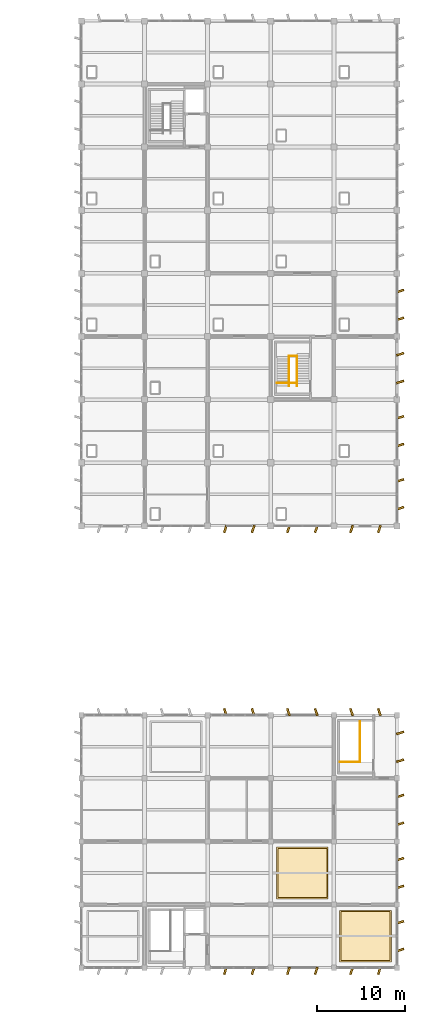
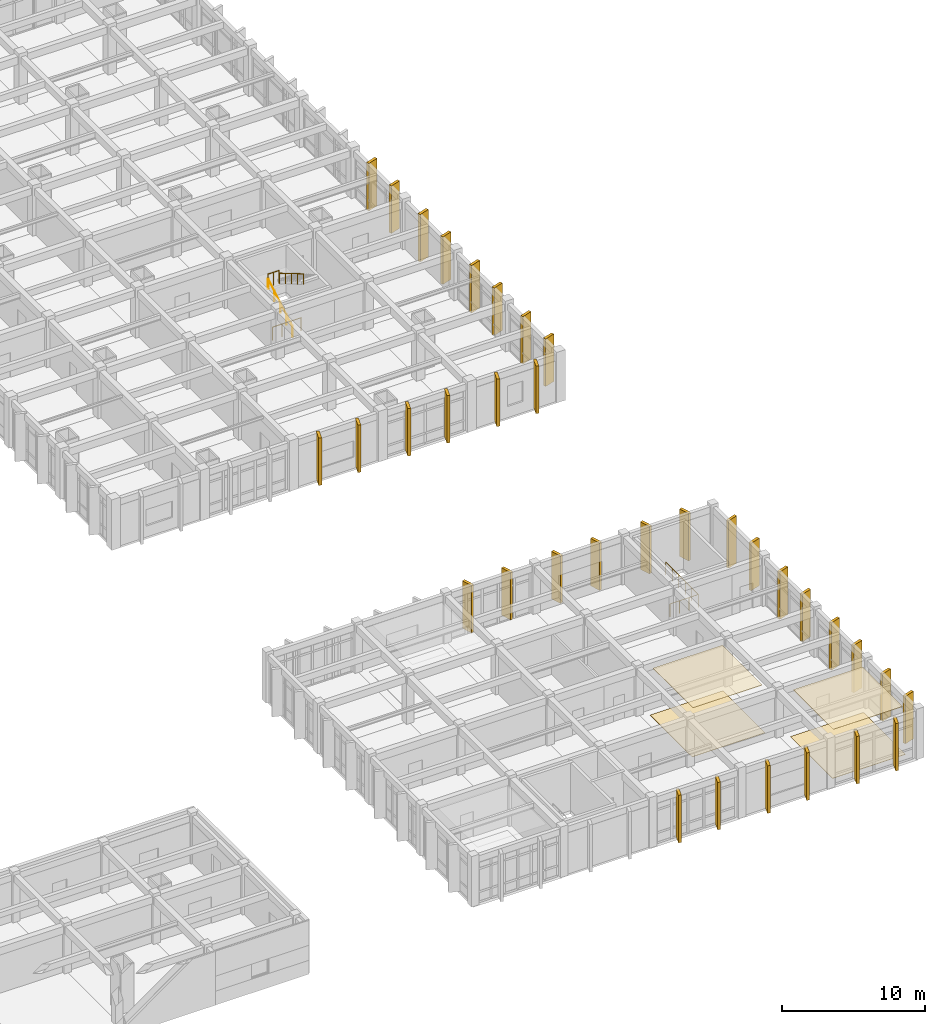
# One storey, part 69 of 70: 38 coverings, 5 railings.
"""IFC4 building model written with IfcOpenShell, lengths in metres."""

from ifc_helpers import new_model, si_unit, direction, frame, origin, origin_2d, place, context, subcontext, project, spatial, polyline, rectangle, circle, outline, extrude, material, layer, layer_set, type_object, element, save


model = new_model("IFC4")

# Units and contexts
model_context = context("Model", 3, precision=1e-05, world=origin(), true_north=direction((0.0, 1.0)))
body_context = subcontext(model_context, "Body", "Model", "MODEL_VIEW")
ifc_project = project(units=[si_unit("LENGTHUNIT", "METRE"), si_unit("AREAUNIT", "SQUARE_METRE"), si_unit("VOLUMEUNIT", "CUBIC_METRE"), si_unit("PLANEANGLEUNIT", "RADIAN"), si_unit("MASSUNIT", "GRAM", prefix="KILO")], contexts=[model_context])

# Site, building, storey
site_placement = place(None, origin())
site = spatial("IfcSite", under=ifc_project, at=site_placement, CompositionType="ELEMENT")
building_placement = place(site_placement, origin())
building = spatial("IfcBuilding", under=site, at=building_placement, Name="Kavelor Marine Aquarium", CompositionType="ELEMENT")
storey_placement = place(building_placement, frame((0.0, 0.0, 9.179931640625)))
storey = spatial("IfcBuildingStorey", under=building, at=storey_placement, Name="L02", CompositionType="ELEMENT", Elevation=9.179931640625)

# Coverings
ifc_material_1 = material(Name="Moisture-Resistant Acoustic Mineral-Fibre Ceiling")
ifc_layer_1 = layer(ifc_material_1, 0.0400390625)
ifc_layer_set_1 = layer_set([ifc_layer_1], Name="COV-CE1")
covering_type_1 = type_object("IfcCoveringType", Name="COV-CE1", PredefinedType="CEILING", material=ifc_layer_set_1)
covering_1_placement = place(storey_placement, frame((0.0, 0.0, 4.0400390625)))
element("IfcCovering", 1, at=covering_1_placement, inside=storey, type_object=covering_type_1, Name="ceil:L02:19_01", PredefinedType="CEILING", context=body_context, shape_type="SweptSolid", body=[
    extrude(outline(polyline([(140.800048828125, 10.800048828125), (146.39990234375, 10.800048828125), (146.39990234375, 16.39990234375), (140.800048828125, 16.39990234375), (140.800048828125, 10.800048828125)])), origin(), (0.0, 0.0, 1.0), 0.0400390625),
])
covering_2_placement = place(storey_placement, frame((0.0, 0.0, 4.0400390625)))
element("IfcCovering", 2, at=covering_2_placement, inside=storey, type_object=covering_type_1, Name="ceil:L02:20_00", PredefinedType="CEILING", context=body_context, shape_type="SweptSolid", body=[
    extrude(outline(polyline([(148.0, 3.60009765625), (153.60009765625, 3.60009765625), (153.60009765625, 9.199951171875), (148.0, 9.199951171875), (148.0, 3.60009765625)])), origin(), (0.0, 0.0, 1.0), 0.0400390625),
])
ifc_material_2 = material(Name="Precast Concrete C45/55 Coastal Brise-Soleil Fin", Category="concrete")
ifc_layer_2 = layer(ifc_material_2, 0.219970703125)
ifc_layer_set_2 = layer_set([ifc_layer_2], Name="COV-CL1")
covering_type_2 = type_object("IfcCoveringType", Name="COV-CL1", PredefinedType="CLADDING", material=ifc_layer_set_2)
for number, where, z_axis, x_axis, name in (
    (3, (154.760009765625, 4.81591796875, 0.0), (0.0, 0.0, 1.0), (0.951056516295, 0.309016994375, 0.0), "fin:y:L02:21_00:0"),
    (4, (154.760009765625, 7.98388671875, 0.0), (0.0, 0.0, 1.0), (0.951056516295, 0.309016994375, 0.0), "fin:y:L02:21_00:1"),
    (5, (154.760009765625, 12.01611328125, 0.0), (0.0, 0.0, 1.0), (0.951056516295, 0.309016994375, 0.0), "fin:y:L02:21_01:0"),
    (6, (154.760009765625, 15.18408203125, 0.0), (0.0, 0.0, 1.0), (0.951056516295, 0.309016994375, 0.0), "fin:y:L02:21_01:1"),
    (7, (154.760009765625, 19.216064453125, 0.0), (0.0, 0.0, 1.0), (0.951056516295, 0.309016994375, 0.0), "fin:y:L02:21_02:0"),
    (8, (154.760009765625, 22.384033203125, 0.0), (0.0, 0.0, 1.0), (0.951056516295, 0.309016994375, 0.0), "fin:y:L02:21_02:1"),
    (9, (154.760009765625, 26.416015625, 0.0), (0.0, 0.0, 1.0), (0.951056516295, 0.309016994375, 0.0), "fin:y:L02:21_03:0"),
    (10, (154.760009765625, 29.583984375, 0.0), (0.0, 0.0, 1.0), (0.951056516295, 0.309016994375, 0.0), "fin:y:L02:21_03:1"),
    (11, (154.760009765625, 55.216064453125, 0.0), (0.0, 0.0, 1.0), (0.951056516295, 0.309016994375, 0.0), "fin:y:L02:21_07:0"),
    (12, (154.760009765625, 58.384033203125, 0.0), (0.0, 0.0, 1.0), (0.951056516295, 0.309016994375, 0.0), "fin:y:L02:21_07:1"),
    (13, (154.760009765625, 62.416015625, 0.0), (0.0, 0.0, 1.0), (0.951056516295, 0.309016994375, 0.0), "fin:y:L02:21_08:0"),
    (14, (154.760009765625, 65.583984375, 0.0), (0.0, 0.0, 1.0), (0.951056516295, 0.309016994375, 0.0), "fin:y:L02:21_08:1"),
    (15, (154.760009765625, 69.615966796875, 0.0), (0.0, 0.0, 1.0), (0.951056516295, 0.309016994375, 0.0), "fin:y:L02:21_09:0"),
    (16, (154.760009765625, 72.783935546875, 0.0), (0.0, 0.0, 1.0), (0.951056516295, 0.309016994375, 0.0), "fin:y:L02:21_09:1"),
    (17, (154.760009765625, 76.81591796875, 0.0), (0.0, 0.0, 1.0), (0.951056516295, 0.309016994375, 0.0), "fin:y:L02:21_10:0"),
    (18, (154.760009765625, 79.98388671875, 0.0), (0.0, 0.0, 1.0), (0.951056516295, 0.309016994375, 0.0), "fin:y:L02:21_10:1"),
):
    element("IfcCovering", number, at=place(storey_placement, frame(where, z_axis=z_axis, x_axis=x_axis)), inside=storey, type_object=covering_type_2, Name=name, PredefinedType="CLADDING", context=body_context, shape_type="SweptSolid", body=[
        extrude(rectangle(XDim=0.85009765625, YDim=0.219970703125, at=origin_2d()), origin(), (0.0, 0.0, 1.0), 4.06005859375),
    ])
for number, where, z_axis, x_axis, name in (
    (19, (134.81591796875, 2.43994140625, 0.0), (0.0, 0.0, 1.0), (0.951056516295, -0.309016994375, 0.0), "fin:x:L02:18_00:0"),
    (20, (137.98388671875, 2.43994140625, 0.0), (0.0, 0.0, 1.0), (0.951056516295, -0.309016994375, 0.0), "fin:x:L02:18_00:1"),
    (21, (134.81591796875, 31.9599609375, 0.0), (0.0, 0.0, 1.0), (0.951056516295, 0.309016994375, 0.0), "fin:x:L02:18_04:0"),
    (22, (137.98388671875, 31.9599609375, 0.0), (0.0, 0.0, 1.0), (0.951056516295, 0.309016994375, 0.0), "fin:x:L02:18_04:1"),
    (23, (134.81591796875, 52.840087890625, 0.0), (0.0, 0.0, 1.0), (0.951056516295, -0.309016994375, 0.0), "fin:x:L02:18_07:0"),
    (24, (137.98388671875, 52.840087890625, 0.0), (0.0, 0.0, 1.0), (0.951056516295, -0.309016994375, 0.0), "fin:x:L02:18_07:1"),
    (25, (142.01611328125, 2.43994140625, 0.0), (0.0, 0.0, 1.0), (0.951056516295, -0.309016994375, 0.0), "fin:x:L02:19_00:0"),
    (26, (145.18408203125, 2.43994140625, 0.0), (0.0, 0.0, 1.0), (0.951056516295, -0.309016994375, 0.0), "fin:x:L02:19_00:1"),
    (27, (142.01611328125, 31.9599609375, 0.0), (0.0, 0.0, 1.0), (0.951056516295, 0.309016994375, 0.0), "fin:x:L02:19_04:0"),
    (28, (145.18408203125, 31.9599609375, 0.0), (0.0, 0.0, 1.0), (0.951056516295, 0.309016994375, 0.0), "fin:x:L02:19_04:1"),
    (29, (142.01611328125, 52.840087890625, 0.0), (0.0, 0.0, 1.0), (0.951056516295, -0.309016994375, 0.0), "fin:x:L02:19_07:0"),
    (30, (145.18408203125, 52.840087890625, 0.0), (0.0, 0.0, 1.0), (0.951056516295, -0.309016994375, 0.0), "fin:x:L02:19_07:1"),
    (31, (149.216064453125, 2.43994140625, 0.0), (0.0, 0.0, 1.0), (0.951056516295, -0.309016994375, 0.0), "fin:x:L02:20_00:0"),
    (32, (152.384033203125, 2.43994140625, 0.0), (0.0, 0.0, 1.0), (0.951056516295, -0.309016994375, 0.0), "fin:x:L02:20_00:1"),
    (33, (149.216064453125, 31.9599609375, 0.0), (0.0, 0.0, 1.0), (0.951056516295, 0.309016994375, 0.0), "fin:x:L02:20_04:0"),
    (34, (152.384033203125, 31.9599609375, 0.0), (0.0, 0.0, 1.0), (0.951056516295, 0.309016994375, 0.0), "fin:x:L02:20_04:1"),
    (35, (149.216064453125, 52.840087890625, 0.0), (0.0, 0.0, 1.0), (0.951056516295, -0.309016994375, 0.0), "fin:x:L02:20_07:0"),
    (36, (152.384033203125, 52.840087890625, 0.0), (0.0, 0.0, 1.0), (0.951056516295, -0.309016994375, 0.0), "fin:x:L02:20_07:1"),
):
    element("IfcCovering", number, at=place(storey_placement, frame(where, z_axis=z_axis, x_axis=x_axis)), inside=storey, type_object=covering_type_2, Name=name, PredefinedType="CLADDING", context=body_context, shape_type="SweptSolid", body=[
        extrude(rectangle(XDim=0.219970703125, YDim=0.85009765625, at=origin_2d()), origin(), (0.0, 0.0, 1.0), 4.06005859375),
    ])
ifc_material_3 = material(Name="Polished Coastal Terrazzo Flooring")
ifc_layer_3 = layer(ifc_material_3, 0.030029296875)
ifc_layer_set_3 = layer_set([ifc_layer_3], Name="COV-FL1")
covering_type_3 = type_object("IfcCoveringType", Name="COV-FL1", PredefinedType="FLOORING", material=ifc_layer_set_3)
covering_3_placement = place(storey_placement, origin())
element("IfcCovering", 37, at=covering_3_placement, inside=storey, type_object=covering_type_3, Name="flr:L02:19_01", PredefinedType="FLOORING", context=body_context, shape_type="SweptSolid", body=[
    extrude(outline(polyline([(140.64990234375, 10.64990234375), (146.550048828125, 10.64990234375), (146.550048828125, 16.550048828125), (140.64990234375, 16.550048828125), (140.64990234375, 10.64990234375)])), origin(), (0.0, 0.0, 1.0), 0.030029296875),
])
covering_4_placement = place(storey_placement, origin())
element("IfcCovering", 38, at=covering_4_placement, inside=storey, type_object=covering_type_3, Name="flr:L02:20_00", PredefinedType="FLOORING", context=body_context, shape_type="SweptSolid", body=[
    extrude(outline(polyline([(147.85009765625, 3.449951171875), (153.75, 3.449951171875), (153.75, 9.35009765625), (147.85009765625, 9.35009765625), (147.85009765625, 3.449951171875)])), origin(), (0.0, 0.0, 1.0), 0.030029296875),
])

# Railings
ifc_material_4 = material(Name="Brushed Stainless Steel Wall and Flight Handrail", Category="steel")
railing_type_1 = type_object("IfcRailingType", Name="RL-HR1", PredefinedType="HANDRAIL", material=ifc_material_4)
railing_1_placement = place(storey_placement, frame((142.090087890625, 69.159912109375, 0.0)))
element("IfcRailing", 39, at=railing_1_placement, inside=storey, type_object=railing_type_1, Name="Stair Handrail ST11-1", PredefinedType="HANDRAIL", context=body_context, shape_type="SweptSolid", body=[
    extrude(circle(Radius=0.02001953125, at=origin_2d()), frame((0.0, 0.0, 0.8798828125), z_axis=(0.0, 0.861568075097, 0.507642051029), x_axis=(-1.0, 0.0, 0.0)), (0.0, 0.0, 1.0), 3.927734375),
    extrude(circle(Radius=0.01806640625, at=origin_2d()), origin(), (0.0, 0.0, 1.0), 0.85986328125),
    extrude(circle(Radius=0.01806640625, at=origin_2d()), frame((0.0, 0.845947265625, 0.49853515625)), (0.0, 0.0, 1.0), 0.85986328125),
    extrude(circle(Radius=0.01806640625, at=origin_2d()), frame((0.0, 1.69189453125, 0.9970703125)), (0.0, 0.0, 1.0), 0.85986328125),
    extrude(circle(Radius=0.01806640625, at=origin_2d()), frame((0.0, 2.5380859375, 1.495361328125)), (0.0, 0.0, 1.0), 0.85986328125),
    extrude(circle(Radius=0.01806640625, at=origin_2d()), frame((0.0, 3.384033203125, 1.993896484375)), (0.0, 0.0, 1.0), 0.85986328125),
])
railing_2_placement = place(storey_placement, frame((142.989990234375, 72.5439453125, 2.16015625)))
element("IfcRailing", 40, at=railing_2_placement, inside=storey, type_object=railing_type_1, Name="Stair Handrail ST11-2", PredefinedType="HANDRAIL", context=body_context, shape_type="SweptSolid", body=[
    extrude(circle(Radius=0.02001953125, at=origin_2d()), frame((0.0, 0.0, 0.8798828125), z_axis=(0.0, -0.861595260526, 0.507595909202), x_axis=(1.0, 0.0, 0.0)), (0.0, 0.0, 1.0), 3.927734375),
    extrude(circle(Radius=0.01806640625, at=origin_2d()), origin(), (0.0, 0.0, 1.0), 0.85986328125),
    extrude(circle(Radius=0.01806640625, at=origin_2d()), frame((0.0, -0.845947265625, 0.49853515625)), (0.0, 0.0, 1.0), 0.85986328125),
    extrude(circle(Radius=0.01806640625, at=origin_2d()), frame((0.0, -1.69189453125, 0.996826171875)), (0.0, 0.0, 1.0), 0.85986328125),
    extrude(circle(Radius=0.01806640625, at=origin_2d()), frame((0.0, -2.5380859375, 1.4951171875)), (0.0, 0.0, 1.0), 0.85986328125),
    extrude(circle(Radius=0.01806640625, at=origin_2d()), frame((0.0, -3.384033203125, 1.99365234375)), (0.0, 0.0, 1.0), 0.85986328125),
])
ifc_material_5 = material(Name="Brushed Stainless Steel Stair Guardrail", Category="steel")
railing_type_2 = type_object("IfcRailingType", Name="RL-SG1", PredefinedType="GUARDRAIL", material=ifc_material_5)
railing_3_placement = place(storey_placement, frame((147.8798828125, 26.280029296875, 0.0)))
element("IfcRailing", 41, at=railing_3_placement, inside=storey, type_object=railing_type_2, Name="Stairwell Guardrail ST09-W", PredefinedType="GUARDRAIL", context=body_context, shape_type="SweptSolid", body=[
    extrude(circle(Radius=0.0224609375, at=origin_2d()), frame((0.0, 0.0, 1.09765625), z_axis=(1.0, 0.0, 0.0), x_axis=(0.0, 1.0, 0.0)), (0.0, 0.0, 1.0), 2.300048828125),
    extrude(circle(Radius=0.0224609375, at=origin_2d()), frame((2.300048828125, 0.0, 1.09765625), z_axis=(0.0, 1.0, 0.0), x_axis=(-1.0, 0.0, 0.0)), (0.0, 0.0, 1.0), 4.590087890625),
    extrude(circle(Radius=0.02099609375, at=origin_2d()), origin(), (0.0, 0.0, 1.0), 1.0751953125),
    extrude(circle(Radius=0.02099609375, at=origin_2d()), frame((0.7666015625, 0.0, 0.0)), (0.0, 0.0, 1.0), 1.0751953125),
    extrude(circle(Radius=0.02099609375, at=origin_2d()), frame((1.533447265625, 0.0, 0.0)), (0.0, 0.0, 1.0), 1.0751953125),
    extrude(circle(Radius=0.02099609375, at=origin_2d()), frame((2.300048828125, 0.0, 0.0)), (0.0, 0.0, 1.0), 1.0751953125),
    extrude(circle(Radius=0.02099609375, at=origin_2d()), frame((2.300048828125, 0.91796875, 0.0)), (0.0, 0.0, 1.0), 1.0751953125),
    extrude(circle(Radius=0.02099609375, at=origin_2d()), frame((2.300048828125, 1.8359375, 0.0)), (0.0, 0.0, 1.0), 1.0751953125),
    extrude(circle(Radius=0.02099609375, at=origin_2d()), frame((2.300048828125, 2.754150390625, 0.0)), (0.0, 0.0, 1.0), 1.0751953125),
    extrude(circle(Radius=0.02099609375, at=origin_2d()), frame((2.300048828125, 3.672119140625, 0.0)), (0.0, 0.0, 1.0), 1.0751953125),
    extrude(circle(Radius=0.02099609375, at=origin_2d()), frame((2.300048828125, 4.590087890625, 0.0)), (0.0, 0.0, 1.0), 1.0751953125),
])
railing_4_placement = place(storey_placement, frame((142.090087890625, 72.573974609375, 2.16015625)))
element("IfcRailing", 42, at=railing_4_placement, inside=storey, type_object=railing_type_2, Name="Landing Guardrail ST11-M", PredefinedType="GUARDRAIL", context=body_context, shape_type="SweptSolid", body=[
    extrude(circle(Radius=0.0224609375, at=origin_2d()), frame((0.0, 0.0, 1.09765625), z_axis=(1.0, 0.0, 0.0), x_axis=(0.0, 1.0, 0.0)), (0.0, 0.0, 1.0), 0.89990234375),
    extrude(circle(Radius=0.02099609375, at=origin_2d()), origin(), (0.0, 0.0, 1.0), 1.0751953125),
    extrude(circle(Radius=0.02099609375, at=origin_2d()), frame((0.449951171875, 0.0, 0.0)), (0.0, 0.0, 1.0), 1.0751953125),
    extrude(circle(Radius=0.02099609375, at=origin_2d()), frame((0.89990234375, 0.0, 0.0)), (0.0, 0.0, 1.0), 1.0751953125),
])
railing_5_placement = place(storey_placement, frame((140.679931640625, 69.47998046875, 0.0)))
element("IfcRailing", 43, at=railing_5_placement, inside=storey, type_object=railing_type_2, Name="Stairwell Guardrail ST11-W", PredefinedType="GUARDRAIL", context=body_context, shape_type="SweptSolid", body=[
    extrude(circle(Radius=0.0224609375, at=origin_2d()), frame((0.0, 0.0, 1.09765625), z_axis=(1.0, 0.0, 0.0), x_axis=(0.0, 1.0, 0.0)), (0.0, 0.0, 1.0), 2.300048828125),
    extrude(circle(Radius=0.02099609375, at=origin_2d()), origin(), (0.0, 0.0, 1.0), 1.0751953125),
    extrude(circle(Radius=0.02099609375, at=origin_2d()), frame((0.7666015625, 0.0, 0.0)), (0.0, 0.0, 1.0), 1.0751953125),
    extrude(circle(Radius=0.02099609375, at=origin_2d()), frame((1.533447265625, 0.0, 0.0)), (0.0, 0.0, 1.0), 1.0751953125),
    extrude(circle(Radius=0.02099609375, at=origin_2d()), frame((2.300048828125, 0.0, 0.0)), (0.0, 0.0, 1.0), 1.0751953125),
])

save(model, "model.ifc")
